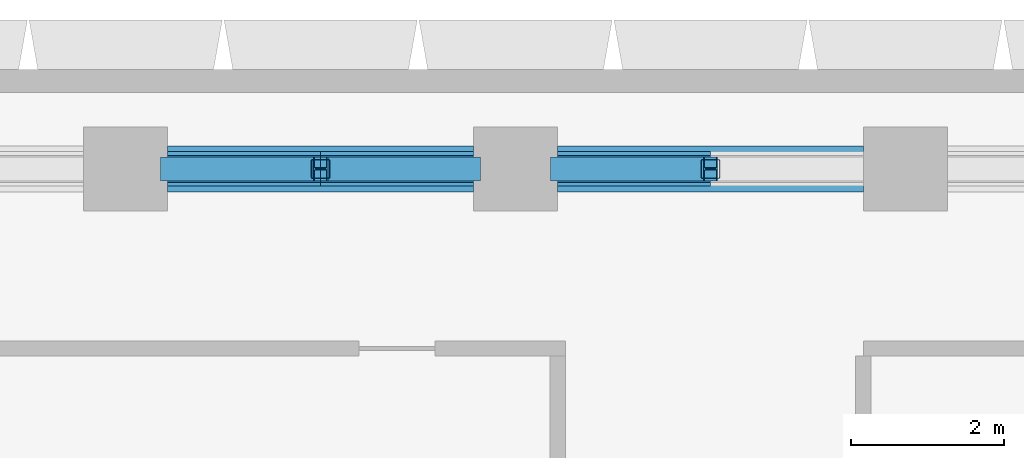
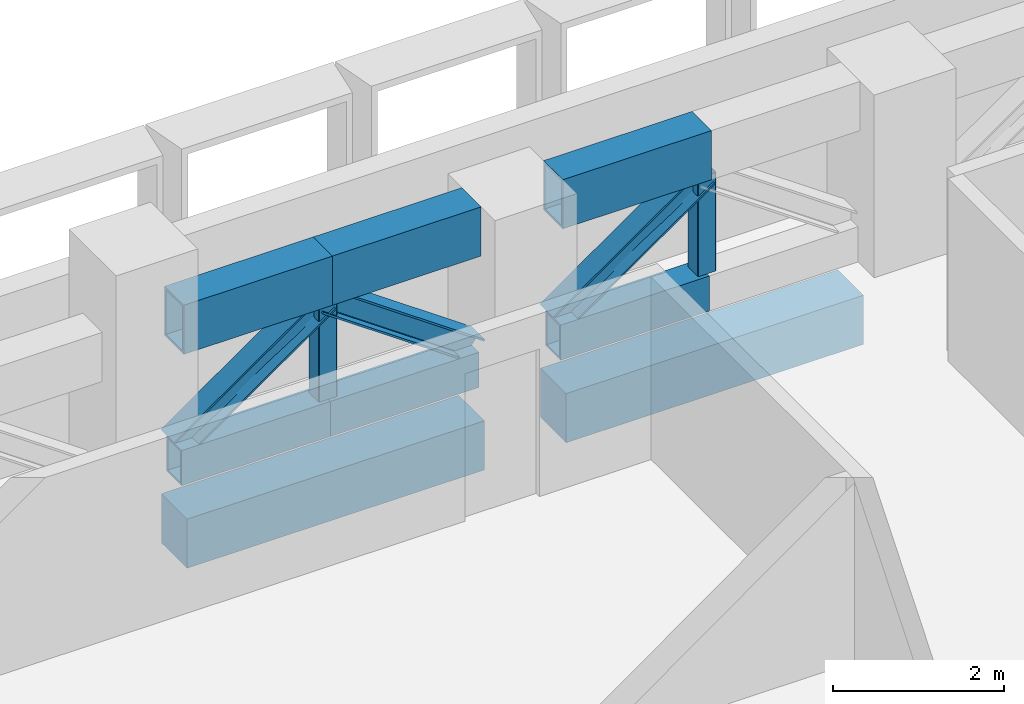
# One storey, part 7 of 22: 11 members, 2 beams.
"""IFC4 building model written with IfcOpenShell, lengths in metres."""

from ifc_helpers import new_model, si_unit, direction, frame, origin, origin_2d, place, context, subcontext, project, spatial, rectangle, hollow_rectangle, i_section, extrude, material, material_profile, profile_set, type_object, element, save


model = new_model("IFC4")

# Units and contexts
model_context = context("Model", 3, precision=1e-05, world=origin(), true_north=direction((0.0, 1.0)))
body_context = subcontext(model_context, "Body", "Model", "MODEL_VIEW")
ifc_project = project(units=[si_unit("LENGTHUNIT", "METRE"), si_unit("AREAUNIT", "SQUARE_METRE"), si_unit("VOLUMEUNIT", "CUBIC_METRE"), si_unit("PLANEANGLEUNIT", "RADIAN"), si_unit("MASSUNIT", "GRAM", prefix="KILO")], contexts=[model_context])

# Site, building, storey
site_placement = place(None, origin())
site = spatial("IfcSite", under=ifc_project, at=site_placement, CompositionType="ELEMENT")
building_placement = place(site_placement, origin())
building = spatial("IfcBuilding", under=site, at=building_placement, Name="Beryl Residences", CompositionType="ELEMENT")
storey_placement = place(building_placement, frame((0.0, 0.0, 62.39990234375)))
storey = spatial("IfcBuildingStorey", under=building, at=storey_placement, Name="L19", CompositionType="ELEMENT", Elevation=62.39990234375)

# Members
ifc_material_1 = material(Name="Steel S355", Category="steel")
ifc_material_profile_1 = material_profile(ifc_material_1, hollow_rectangle(XDim=0.35009765625, YDim=0.5, WallThickness=0.02490234375, at=origin_2d()))
ifc_profile_set_1 = profile_set([ifc_material_profile_1], Name="Steel S355")
member_type_1 = type_object("IfcMemberType", Name="BB1 belt truss bottom chord WB 500x350x25", PredefinedType="CHORD", material=ifc_profile_set_1)
for number, where, z_axis, x_axis, name in (
    (1, (-0.0009765625, 27.10009765625, 0.25), (-1.0, 0.0, 0.0), (0.0, -1.0, 0.0), "Belt truss BB1-N-2b L19"),
    (2, (-3.10302734375, 27.10009765625, 0.25), (-1.0, 0.0, 0.0), (0.0, -1.0, 0.0), "Belt truss BB1-N-3a L19"),
    (3, (-5.10498046875, 27.10009765625, 0.25), (-1.0, 0.0, 0.0), (0.0, -1.0, 0.0), "Belt truss BB1-N-3b L19"),
):
    element("IfcMember", number, at=place(storey_placement, frame(where, z_axis=z_axis, x_axis=x_axis)), inside=storey, type_object=member_type_1, Name=name, PredefinedType="CHORD", context=body_context, shape_type="SweptSolid", body=[
        extrude(hollow_rectangle(XDim=0.35009765625, YDim=0.5, WallThickness=0.02490234375, at=origin_2d()), origin(), (0.0, 0.0, 1.0), 2.001953125),
    ])
ifc_material_2 = material(Name="Steel S355", Category="steel")
ifc_material_profile_2 = material_profile(ifc_material_2, i_section(OverallWidth=0.31103515625, OverallDepth=0.326904296875, WebThickness=0.015625, FlangeThickness=0.02490234375, FilletRadius=0.0166015625, at=origin_2d()))
ifc_profile_set_2 = profile_set([ifc_material_profile_2], Name="Steel S355")
member_type_2 = type_object("IfcMemberType", Name="BD1 belt truss diagonal 310UC158", PredefinedType="BRACE", material=ifc_profile_set_2)
for number, where, z_axis, x_axis, name in (
    (4, (-2.0029296875, 27.10009765625, 0.5), (0.81946659841, 0.0, 0.573126944132), (0.0, 1.0, 0.0), "Belt truss BD1-N-2b L19"),
    (5, (-3.10302734375, 27.10009765625, 0.5), (-0.81946659841, 0.0, 0.573126944132), (0.0, -1.0, 0.0), "Belt truss BD1-N-3a L19"),
    (6, (-7.10693359375, 27.10009765625, 0.5), (0.81946659841, 0.0, 0.573126944132), (0.0, 1.0, 0.0), "Belt truss BD1-N-3b L19"),
):
    element("IfcMember", number, at=place(storey_placement, frame(where, z_axis=z_axis, x_axis=x_axis)), inside=storey, type_object=member_type_2, Name=name, PredefinedType="BRACE", context=body_context, shape_type="SweptSolid", body=[
        extrude(i_section(OverallWidth=0.31103515625, OverallDepth=0.326904296875, WebThickness=0.015625, FlangeThickness=0.02490234375, FilletRadius=0.0166015625, at=origin_2d()), origin(), (0.0, 0.0, 1.0), 2.443115234375),
    ])
ifc_material_3 = material(Name="Steel S355", Category="steel")
ifc_material_profile_3 = material_profile(ifc_material_3, hollow_rectangle(XDim=0.25, YDim=0.25, WallThickness=0.009033203125, InnerFilletRadius=0.009033203125, OuterFilletRadius=0.01806640625, at=origin_2d()))
ifc_profile_set_3 = profile_set([ifc_material_profile_3], Name="Steel S355")
member_type_3 = type_object("IfcMemberType", Name="BQ1 belt truss post SHS 250x250x9", PredefinedType="POST", material=ifc_profile_set_3)
for number, where, z_axis, x_axis, name in (
    (7, (-0.0009765625, 27.10009765625, 0.5), (0.0, 0.0, 1.0), (1.0, 0.0, 0.0), "Belt truss BQ1-N-2 L19"),
    (8, (-5.10498046875, 27.10009765625, 0.5), (0.0, 0.0, 1.0), (1.0, 0.0, 0.0), "Belt truss BQ1-N-3 L19"),
):
    element("IfcMember", number, at=place(storey_placement, frame(where, z_axis=z_axis, x_axis=x_axis)), inside=storey, type_object=member_type_3, Name=name, PredefinedType="POST", context=body_context, shape_type="SweptSolid", body=[
        extrude(hollow_rectangle(XDim=0.25, YDim=0.25, WallThickness=0.009033203125, InnerFilletRadius=0.009033203125, OuterFilletRadius=0.01806640625, at=origin_2d()), origin(), (0.0, 0.0, 1.0), 1.400146484375),
    ])
ifc_material_4 = material(Name="Steel S355", Category="steel")
ifc_material_profile_4 = material_profile(ifc_material_4, hollow_rectangle(XDim=0.449951171875, YDim=0.699951171875, WallThickness=0.034912109375, at=origin_2d()))
ifc_profile_set_4 = profile_set([ifc_material_profile_4], Name="Steel S355")
member_type_4 = type_object("IfcMemberType", Name="BT1 belt truss top chord WB 700x450x35", PredefinedType="CHORD", material=ifc_profile_set_4)
for number, where, z_axis, x_axis, name in (
    (9, (-0.0009765625, 27.10009765625, 2.25), (-1.0, 0.0, 0.0), (0.0, -1.0, 0.0), "Belt truss BT1-N-2b L19"),
    (10, (-3.10302734375, 27.10009765625, 2.25), (-1.0, 0.0, 0.0), (0.0, -1.0, 0.0), "Belt truss BT1-N-3a L19"),
    (11, (-5.10498046875, 27.10009765625, 2.25), (-1.0, 0.0, 0.0), (0.0, -1.0, 0.0), "Belt truss BT1-N-3b L19"),
):
    element("IfcMember", number, at=place(storey_placement, frame(where, z_axis=z_axis, x_axis=x_axis)), inside=storey, type_object=member_type_4, Name=name, PredefinedType="CHORD", context=body_context, shape_type="SweptSolid", body=[
        extrude(hollow_rectangle(XDim=0.449951171875, YDim=0.699951171875, WallThickness=0.034912109375, at=origin_2d()), origin(), (0.0, 0.0, 1.0), 2.001953125),
    ])

# Beams
ifc_material_5 = material(Name="Concrete C80/95", Category="concrete")
ifc_material_profile_5 = material_profile(ifc_material_5, rectangle(XDim=0.60009765625, YDim=0.699951171875, at=origin_2d()))
ifc_profile_set_5 = profile_set([ifc_material_profile_5], Name="Concrete C80/95")
beam_type = type_object("IfcBeamType", Name="SB1 spandrel beam 600 x 700 C80/95", PredefinedType="SPANDREL", material=ifc_profile_set_5)
for number, where, z_axis, x_axis, name in (
    (12, (2.0009765625, 27.10009765625, -0.75), (-1.0, 0.0, 0.0), (0.0, -1.0, 0.0), "SB1 L19 N-2"),
    (13, (-3.10302734375, 27.10009765625, -0.75), (-1.0, 0.0, 0.0), (0.0, -1.0, 0.0), "SB1 L19 N-3"),
):
    element("IfcBeam", number, at=place(storey_placement, frame(where, z_axis=z_axis, x_axis=x_axis)), inside=storey, type_object=beam_type, Name=name, PredefinedType="SPANDREL", context=body_context, shape_type="SweptSolid", body=[
        extrude(rectangle(XDim=0.60009765625, YDim=0.699951171875, at=origin_2d()), origin(), (0.0, 0.0, 1.0), 4.00390625),
    ])

save(model, "model.ifc")
